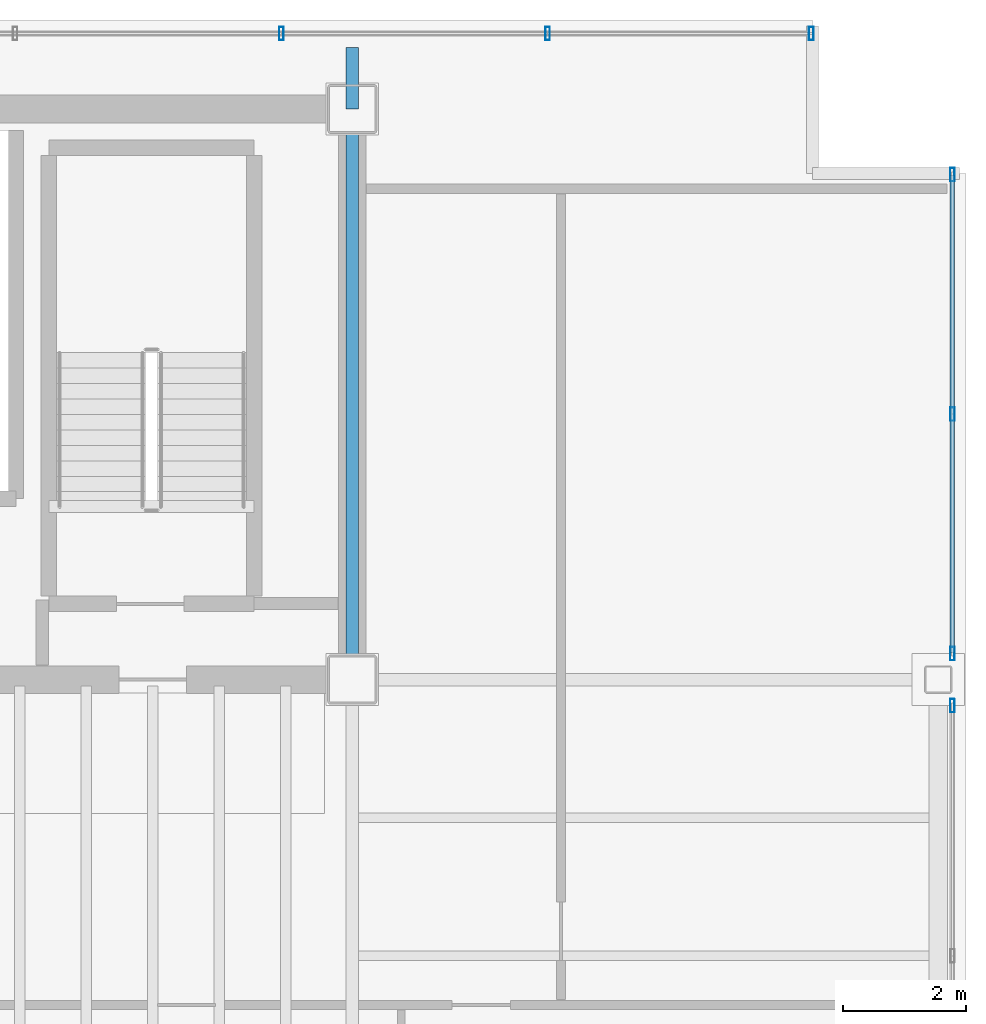
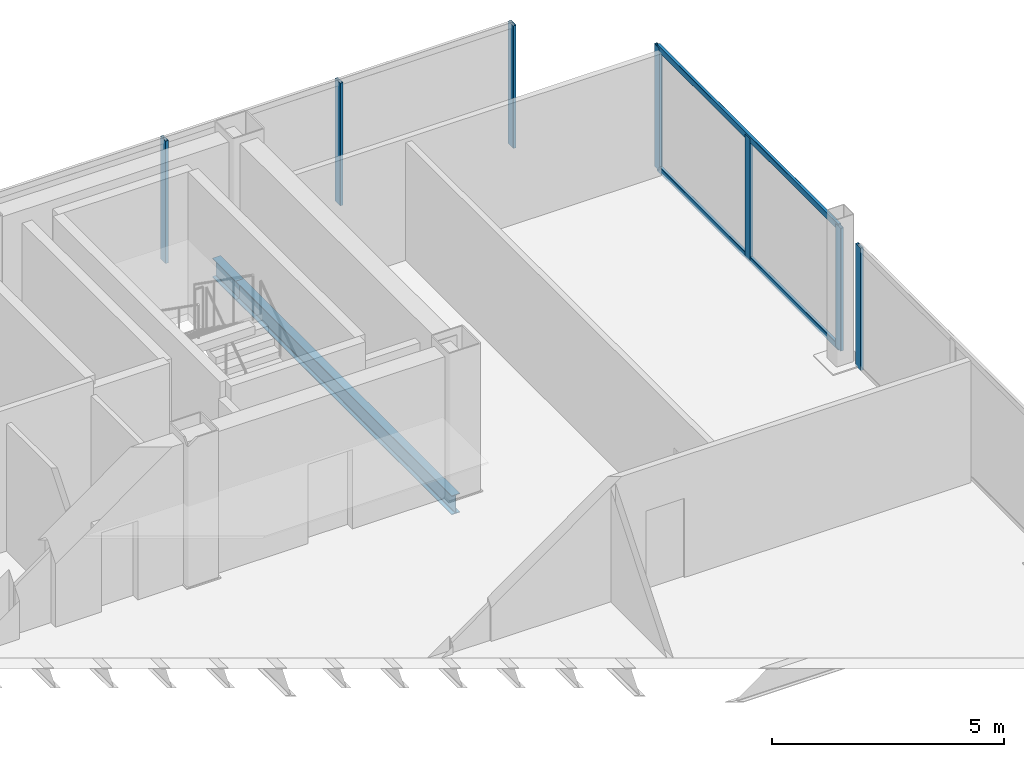
# One storey, part 11 of 15: 9 members, 2 beams, 3 elements without a shape of their own.
"""IFC4 building model written with IfcOpenShell, lengths in metres."""

import ifcopenshell
import ifcopenshell.guid

model = None  # the IFC model being written
_history = None  # IfcOwnerHistory: only IFC2X3 demands one
_inside = {}  # id of a spatial element -> (the spatial element, [elements in it])
_under = {}  # id of a project, library or spatial element -> (it, [spatial elements below it])
_declared = {}  # id of a project -> (the project, [libraries it declares])
_typed = {}  # id of a type object -> (the type object, [elements of that type])
_made_of = {}  # id of a material, layer set ... -> (it, [elements and type objects made of it])


def new_model(schema):
    """Start an empty IFC model of exactly this schema.

    Asked for "IFC4X3", IfcOpenShell would pick the latest addendum, in which some entities
    have other attributes; the version numbers below select the first issue.
    IFC2X3 requires an IfcOwnerHistory on every rooted entity: one is made here for all.
    """
    global model, _history
    if schema == "IFC4X3":
        model = ifcopenshell.file(schema_version=(4, 3, 0, 0))
    else:
        model = ifcopenshell.file(schema=schema)
    _inside.clear()
    _under.clear()
    _declared.clear()
    _typed.clear()
    _made_of.clear()
    _history = None
    if model.schema == "IFC2X3":
        org = make("IfcOrganization", Name="unknown")
        user = make(
            "IfcPersonAndOrganization",
            ThePerson=make("IfcPerson", FamilyName="unknown"),
            TheOrganization=org,
        )
        app = make(
            "IfcApplication",
            ApplicationDeveloper=org,
            Version="unknown",
            ApplicationFullName="unknown",
            ApplicationIdentifier="unknown",
        )
        _history = make(
            "IfcOwnerHistory",
            OwningUser=user,
            OwningApplication=app,
            ChangeAction="ADDED",
            CreationDate=0,
        )
    return model


def make(cls, **values):
    """One entity of the class cls with the attributes given. An attribute that is None is left unset."""
    return model.create_entity(
        cls, **{name: value for name, value in values.items() if value is not None}
    )


def rooted(cls, **values):
    """An entity with a GlobalId (a new one), such as an element, a storey or a relation."""
    return make(cls, GlobalId=ifcopenshell.guid.new(), OwnerHistory=_history, **values)


def si_unit(unit_type, name, prefix=None):
    """IfcSIUnit, for example si_unit("LENGTHUNIT", "METRE", prefix="MILLI")."""
    return make("IfcSIUnit", UnitType=unit_type, Prefix=prefix, Name=name)


def assignment(units):
    """IfcUnitAssignment: the units of a project."""
    return None if units is None else make("IfcUnitAssignment", Units=units)


def point(xyz):
    """IfcCartesianPoint."""
    return None if xyz is None else make("IfcCartesianPoint", Coordinates=xyz)


def direction(xyz):
    """IfcDirection."""
    return None if xyz is None else make("IfcDirection", DirectionRatios=xyz)


def frame(location, z_axis=None, x_axis=None):
    """IfcAxis2Placement3D, a coordinate frame: its origin and axes. An axis left out is left unset."""
    return make(
        "IfcAxis2Placement3D",
        Location=point(location),
        Axis=direction(z_axis),
        RefDirection=direction(x_axis),
    )


def frame_2d(location, x_axis=None):
    """IfcAxis2Placement2D, a coordinate frame in the plane: its origin and x axis."""
    return make(
        "IfcAxis2Placement2D", Location=point(location), RefDirection=direction(x_axis)
    )


def origin():
    """The frame at (0, 0, 0) with its axes left unset."""
    return frame((0.0, 0.0, 0.0))


def origin_2d():
    """The frame at (0, 0) in the plane with its x axis left unset."""
    return frame_2d((0.0, 0.0))


def place(relative_to, where):
    """IfcLocalPlacement: puts the frame where relative to a parent placement (None: the world)."""
    return make(
        "IfcLocalPlacement", PlacementRelTo=relative_to, RelativePlacement=where
    )


def context(
    kind, dimensions, precision=None, world=None, true_north=None, identifier=None
):
    """IfcGeometricRepresentationContext, for example the 3D "Model" context."""
    return make(
        "IfcGeometricRepresentationContext",
        ContextIdentifier=identifier,
        ContextType=kind,
        CoordinateSpaceDimension=dimensions,
        Precision=precision,
        WorldCoordinateSystem=world,
        TrueNorth=true_north,
    )


def subcontext(parent, identifier, kind, view, scale=None):
    """IfcGeometricRepresentationSubContext, for example "Body" below "Model"."""
    return make(
        "IfcGeometricRepresentationSubContext",
        ContextIdentifier=identifier,
        ContextType=kind,
        ParentContext=parent,
        TargetScale=scale,
        TargetView=view,
    )


def project(units=None, contexts=None):
    """IfcProject with its units and contexts."""
    return rooted(
        "IfcProject",
        Name="project",
        RepresentationContexts=contexts,
        UnitsInContext=assignment(units),
    )


def spatial(cls, under=None, at=None, **own):
    """A site, building, storey or space (cls), placed at a placement, below another one or the project."""
    s = rooted(cls, ObjectPlacement=at, **own)
    if under is not None:
        _under.setdefault(under.id(), (under, []))[1].append(s)
    return s


def profile(cls, at=None, kind="AREA", **sizes):
    """A parametric profile (cls). Its sizes go by their IFC names, for example OverallWidth=200.0."""
    return make(cls, ProfileType=kind, Position=at, **sizes)


def hollow_rectangle(**sizes):
    """IfcRectangleHollowProfileDef."""
    return profile("IfcRectangleHollowProfileDef", **sizes)


def i_section(**sizes):
    """IfcIShapeProfileDef."""
    return profile("IfcIShapeProfileDef", **sizes)


def extrude(swept, where, along, depth):
    """IfcExtrudedAreaSolid: the profile swept, set in the frame where, extruded along a direction by depth."""
    return make(
        "IfcExtrudedAreaSolid",
        SweptArea=swept,
        Position=where,
        ExtrudedDirection=direction(along),
        Depth=depth,
    )


def shape(context_of_items, identifier, shape_type, items):
    """IfcShapeRepresentation: the items that make up one representation, for example the "Body"."""
    return make(
        "IfcShapeRepresentation",
        ContextOfItems=context_of_items,
        RepresentationIdentifier=identifier,
        RepresentationType=shape_type,
        Items=items,
    )


def material(Name=None, Category=None):
    """IfcMaterial."""
    return make("IfcMaterial", Name=Name, Category=Category)


def material_profile(
    of_material, cross_section, Name=None, Category=None, Priority=None
):
    """IfcMaterialProfile: a cross section and its material."""
    return make(
        "IfcMaterialProfile",
        Name=Name,
        Material=of_material,
        Profile=cross_section,
        Priority=Priority,
        Category=Category,
    )


def profile_set(profiles, Name=None, composite=None):
    """IfcMaterialProfileSet."""
    return make(
        "IfcMaterialProfileSet",
        Name=Name,
        MaterialProfiles=profiles,
        CompositeProfile=composite,
    )


def made_of(thing, what):
    """Note that an element or type object is made of a material, layer set ...; save() writes the relation."""
    if what is not None:
        _made_of.setdefault(what.id(), (what, []))[1].append(thing)
    return thing


def type_object(cls, material=None, **own):
    """A type object (cls), such as IfcWallType, which elements share."""
    return made_of(rooted(cls, **own), material)


def element(
    cls,
    number,
    at=None,
    inside=None,
    cuts=None,
    type_object=None,
    material=None,
    context=None,
    identifier="Body",
    shape_type=None,
    held_by="IfcProductDefinitionShape",
    body=None,
    shapes=None,
    **own,
):
    """One element of the class cls, such as IfcWall. Its Tag is "e" and its number.

    at: its placement. inside: the storey or other place that contains it. cuts: it is an
    opening in that element (IfcRelVoidsElement). A single representation is given by context,
    identifier, shape_type and body (its items); several are given by shapes. held_by: the class
    of the entity that holds the representations. save() writes the other relations.
    """
    e = rooted(cls, Tag="e%d" % number, ObjectPlacement=at, **own)
    if body is not None:
        shapes = [shape(context, identifier, shape_type, body)]
    if shapes is not None:
        e.Representation = make(held_by, Representations=shapes)
    if inside is not None:
        _inside.setdefault(inside.id(), (inside, []))[1].append(e)
    if cuts is not None:
        rooted(
            "IfcRelVoidsElement", RelatingBuildingElement=cuts, RelatedOpeningElement=e
        )
    if type_object is not None:
        _typed.setdefault(type_object.id(), (type_object, []))[1].append(e)
    return made_of(e, material)


def aggregate(whole, parts):
    """IfcRelAggregates: a whole, such as a stair, and the parts it consists of."""
    return rooted("IfcRelAggregates", RelatingObject=whole, RelatedObjects=parts)


def save(model, path):
    """Write the relations noted so far, then the file.

    IfcRelAggregates (storeys below a building ...), IfcRelContainedInSpatialStructure (elements
    in a storey), IfcRelDefinesByType, IfcRelAssociatesMaterial and IfcRelDeclares: one each for
    every whole, place, type object, material and project.
    """
    for whole, parts in _under.values():
        aggregate(whole, parts)
    for where, things in _inside.values():
        rooted(
            "IfcRelContainedInSpatialStructure",
            RelatedElements=things,
            RelatingStructure=where,
        )
    for kind, things in _typed.values():
        rooted("IfcRelDefinesByType", RelatedObjects=things, RelatingType=kind)
    for what, things in _made_of.values():
        rooted("IfcRelAssociatesMaterial", RelatedObjects=things, RelatingMaterial=what)
    for by, libraries in _declared.values():
        rooted("IfcRelDeclares", RelatingContext=by, RelatedDefinitions=libraries)
    model.write(path)


model = new_model("IFC4")

# Units and contexts
model_context = context("Model", 3, precision=1e-05, world=origin(), true_north=direction((0.0, 1.0)))
body_context = subcontext(model_context, "Body", "Model", "MODEL_VIEW")
ifc_project = project(units=[si_unit("LENGTHUNIT", "METRE"), si_unit("AREAUNIT", "SQUARE_METRE"), si_unit("VOLUMEUNIT", "CUBIC_METRE"), si_unit("PLANEANGLEUNIT", "RADIAN"), si_unit("MASSUNIT", "GRAM", prefix="KILO")], contexts=[model_context])

# Site, building, storey
site_placement = place(None, origin())
site = spatial("IfcSite", under=ifc_project, at=site_placement, CompositionType="ELEMENT")
building_placement = place(site_placement, origin())
building = spatial("IfcBuilding", under=site, at=building_placement, Name="Noeulbin Bourse Tower", CompositionType="ELEMENT")
storey_placement = place(building_placement, frame((0.0, 0.0, 211.10009765625)))
storey = spatial("IfcBuildingStorey", under=building, at=storey_placement, Name="L52", CompositionType="ELEMENT", Elevation=211.10009765625)

# Beams
ifc_material_1 = material(Name="Steel S355", Category="steel")
ifc_material_profile_1 = material_profile(ifc_material_1, i_section(OverallWidth=0.199951171875, OverallDepth=0.5, WebThickness=0.010009765625, FlangeThickness=0.01611328125, FilletRadius=0.02001953125, at=origin_2d()), Name="H-500x200x10x16", Category="LoadBearing")
ifc_profile_set_1 = profile_set([ifc_material_profile_1], Name="Steel S355")
beam_type = type_object("IfcBeamType", Name="BM-GRD-500", PredefinedType="USERDEFINED", material=ifc_profile_set_1)
beam_1_placement = place(storey_placement, frame((44.0, 29.0, -0.43017578125), z_axis=(0.0, 1.0, 0.0), x_axis=(-1.0, 0.0, 0.0)))
element("IfcBeam", 1, at=beam_1_placement, inside=storey, type_object=beam_type, Name="Tower Primary Girder NS L52-5.3", ObjectType="GIRDER", PredefinedType="USERDEFINED", context=body_context, shape_type="SweptSolid", body=[
    extrude(i_section(OverallWidth=0.199951171875, OverallDepth=0.5, WebThickness=0.010009765625, FlangeThickness=0.01611328125, FilletRadius=0.02001953125, at=origin_2d()), origin(), (0.0, 0.0, 1.0), 9.300048828125),
])
beam_2_placement = place(storey_placement, frame((44.0, 38.300048828125, -0.43017578125), z_axis=(0.0, 1.0, 0.0), x_axis=(-1.0, 0.0, 0.0)))
element("IfcBeam", 2, at=beam_2_placement, inside=storey, type_object=beam_type, Name="Tower Primary Girder NS L52-5.4", ObjectType="GIRDER", PredefinedType="USERDEFINED", context=body_context, shape_type="SweptSolid", body=[
    extrude(i_section(OverallWidth=0.199951171875, OverallDepth=0.5, WebThickness=0.010009765625, FlangeThickness=0.01611328125, FilletRadius=0.02001953125, at=origin_2d()), origin(), (0.0, 0.0, 1.0), 1.0),
])

# Curtain wall, members
ifc_material_2 = material(Name="High-Selectivity Low-Iron Glazing", Category="glass")
curtain_wall_type = type_object("IfcCurtainWallType", Name="CW-SYS-4", PredefinedType="NOTDEFINED", material=ifc_material_2)
curtain_wall_1_placement = place(storey_placement, origin())
curtain_wall_1 = element("IfcCurtainWall", 3, at=curtain_wall_1_placement, inside=storey, type_object=curtain_wall_type, Name="Unitised Curtain Wall CW-L52-N", PredefinedType="NOTDEFINED")
ifc_material_3 = material(Name="Anodised Aluminium 6063-T6", Category="aluminium")
ifc_material_profile_2 = material_profile(ifc_material_3, hollow_rectangle(XDim=0.074951171875, YDim=0.219970703125, WallThickness=0.0048828125, InnerFilletRadius=0.00244140625, OuterFilletRadius=0.0048828125, at=origin_2d()), Name="ALU-MULL-75x220x5", Category="LoadBearing")
ifc_profile_set_2 = profile_set([ifc_material_profile_2], Name="Anodised Aluminium 6063-T6")
member_type_1 = type_object("IfcMemberType", Name="CW-SYS-4-MUL", PredefinedType="MULLION", material=ifc_profile_set_2)
member_1_placement = place(storey_placement, frame((42.844482421875, 39.530029296875, -0.02001953125), z_axis=(0.0, 0.0, 1.0), x_axis=(1.0, 0.0, 0.0)))
member_1 = element("IfcMember", 4, at=member_1_placement, type_object=member_type_1, Name="Curtain Wall Mullion CW-L52-N-M07", PredefinedType="MULLION", context=body_context, shape_type="SweptSolid", body=[
    extrude(hollow_rectangle(XDim=0.074951171875, YDim=0.219970703125, WallThickness=0.0048828125, InnerFilletRadius=0.00244140625, OuterFilletRadius=0.0048828125, at=origin_2d()), origin(), (0.0, 0.0, 1.0), 3.219970703125),
])
member_2_placement = place(storey_placement, frame((47.18212890625, 39.530029296875, -0.02001953125), z_axis=(0.0, 0.0, 1.0), x_axis=(1.0, 0.0, 0.0)))
member_2 = element("IfcMember", 5, at=member_2_placement, type_object=member_type_1, Name="Curtain Wall Mullion CW-L52-N-M08", PredefinedType="MULLION", context=body_context, shape_type="SweptSolid", body=[
    extrude(hollow_rectangle(XDim=0.074951171875, YDim=0.219970703125, WallThickness=0.0048828125, InnerFilletRadius=0.00244140625, OuterFilletRadius=0.0048828125, at=origin_2d()), origin(), (0.0, 0.0, 1.0), 3.219970703125),
])
member_3_placement = place(storey_placement, frame((51.47998046875, 39.530029296875, -0.02001953125), z_axis=(0.0, 0.0, 1.0), x_axis=(1.0, 0.0, 0.0)))
member_3 = element("IfcMember", 6, at=member_3_placement, type_object=member_type_1, Name="Curtain Wall Mullion CW-L52-N-M09", PredefinedType="MULLION", context=body_context, shape_type="SweptSolid", body=[
    extrude(hollow_rectangle(XDim=0.074951171875, YDim=0.219970703125, WallThickness=0.0048828125, InnerFilletRadius=0.00244140625, OuterFilletRadius=0.0048828125, at=origin_2d()), origin(), (0.0, 0.0, 1.0), 3.219970703125),
])
aggregate(curtain_wall_1, [member_1, member_2, member_3])

# Curtain wall, member
curtain_wall_2_placement = place(storey_placement, origin())
curtain_wall_2 = element("IfcCurtainWall", 7, at=curtain_wall_2_placement, inside=storey, type_object=curtain_wall_type, Name="Unitised Curtain Wall CW-L52-E-S2", PredefinedType="NOTDEFINED")
member_4_placement = place(storey_placement, frame((53.780029296875, 28.574951171875, -0.02001953125), z_axis=(0.0, 0.0, 1.0), x_axis=(1.0, 0.0, 0.0)))
member_4 = element("IfcMember", 8, at=member_4_placement, type_object=member_type_1, Name="Curtain Wall Mullion CW-L52-E-S2-M02", PredefinedType="MULLION", context=body_context, shape_type="SweptSolid", body=[
    extrude(hollow_rectangle(XDim=0.074951171875, YDim=0.219970703125, WallThickness=0.0048828125, InnerFilletRadius=0.00244140625, OuterFilletRadius=0.0048828125, at=origin_2d()), origin(), (0.0, 0.0, 1.0), 3.219970703125),
])
aggregate(curtain_wall_2, [member_4])

# Curtain wall, members
curtain_wall_3_placement = place(storey_placement, origin())
curtain_wall_3 = element("IfcCurtainWall", 9, at=curtain_wall_3_placement, inside=storey, type_object=curtain_wall_type, Name="Unitised Curtain Wall CW-L52-E-S3", PredefinedType="NOTDEFINED")
member_5_placement = place(storey_placement, frame((53.780029296875, 29.425048828125, -0.02001953125), z_axis=(0.0, 0.0, 1.0), x_axis=(1.0, 0.0, 0.0)))
member_5 = element("IfcMember", 10, at=member_5_placement, type_object=member_type_1, Name="Curtain Wall Mullion CW-L52-E-S3-M00", PredefinedType="MULLION", context=body_context, shape_type="SweptSolid", body=[
    extrude(hollow_rectangle(XDim=0.074951171875, YDim=0.219970703125, WallThickness=0.0048828125, InnerFilletRadius=0.00244140625, OuterFilletRadius=0.0048828125, at=origin_2d()), origin(), (0.0, 0.0, 1.0), 3.219970703125),
])
member_6_placement = place(storey_placement, frame((53.780029296875, 33.327392578125, -0.02001953125), z_axis=(0.0, 0.0, 1.0), x_axis=(1.0, 0.0, 0.0)))
member_6 = element("IfcMember", 11, at=member_6_placement, type_object=member_type_1, Name="Curtain Wall Mullion CW-L52-E-S3-M01", PredefinedType="MULLION", context=body_context, shape_type="SweptSolid", body=[
    extrude(hollow_rectangle(XDim=0.074951171875, YDim=0.219970703125, WallThickness=0.0048828125, InnerFilletRadius=0.00244140625, OuterFilletRadius=0.0048828125, at=origin_2d()), origin(), (0.0, 0.0, 1.0), 3.219970703125),
])
member_7_placement = place(storey_placement, frame((53.780029296875, 37.22998046875, -0.02001953125), z_axis=(0.0, 0.0, 1.0), x_axis=(1.0, 0.0, 0.0)))
member_7 = element("IfcMember", 12, at=member_7_placement, type_object=member_type_1, Name="Curtain Wall Mullion CW-L52-E-S3-M02", PredefinedType="MULLION", context=body_context, shape_type="SweptSolid", body=[
    extrude(hollow_rectangle(XDim=0.074951171875, YDim=0.219970703125, WallThickness=0.0048828125, InnerFilletRadius=0.00244140625, OuterFilletRadius=0.0048828125, at=origin_2d()), origin(), (0.0, 0.0, 1.0), 3.219970703125),
])
ifc_material_profile_3 = material_profile(ifc_material_3, hollow_rectangle(XDim=0.074951171875, YDim=0.159912109375, WallThickness=0.0048828125, InnerFilletRadius=0.00244140625, OuterFilletRadius=0.0048828125, at=origin_2d()), Name="ALU-TRAN-75x160x5", Category="LoadBearing")
ifc_profile_set_3 = profile_set([ifc_material_profile_3], Name="Anodised Aluminium 6063-T6")
member_type_2 = type_object("IfcMemberType", Name="CW-SYS-4-TRN", PredefinedType="USERDEFINED", material=ifc_profile_set_3)
member_8_placement = place(storey_placement, frame((53.780029296875, 29.43505859375, 0.010009765625), z_axis=(0.0, 1.0, 0.0), x_axis=(-1.0, 0.0, 0.0)))
member_8 = element("IfcMember", 13, at=member_8_placement, type_object=member_type_2, Name="Curtain Wall Transom CW-L52-E-S3-T00", ObjectType="TRANSOM", PredefinedType="USERDEFINED", context=body_context, shape_type="SweptSolid", body=[
    extrude(hollow_rectangle(XDim=0.074951171875, YDim=0.159912109375, WallThickness=0.0048828125, InnerFilletRadius=0.00244140625, OuterFilletRadius=0.0048828125, at=origin_2d()), origin(), (0.0, 0.0, 1.0), 7.784912109375),
])
member_9_placement = place(storey_placement, frame((53.780029296875, 29.43505859375, 3.169921875), z_axis=(0.0, 1.0, 0.0), x_axis=(-1.0, 0.0, 0.0)))
member_9 = element("IfcMember", 14, at=member_9_placement, type_object=member_type_2, Name="Curtain Wall Transom CW-L52-E-S3-T01", ObjectType="TRANSOM", PredefinedType="USERDEFINED", context=body_context, shape_type="SweptSolid", body=[
    extrude(hollow_rectangle(XDim=0.074951171875, YDim=0.159912109375, WallThickness=0.0048828125, InnerFilletRadius=0.00244140625, OuterFilletRadius=0.0048828125, at=origin_2d()), origin(), (0.0, 0.0, 1.0), 7.784912109375),
])
aggregate(curtain_wall_3, [member_5, member_6, member_7, member_8, member_9])

save(model, "model.ifc")
